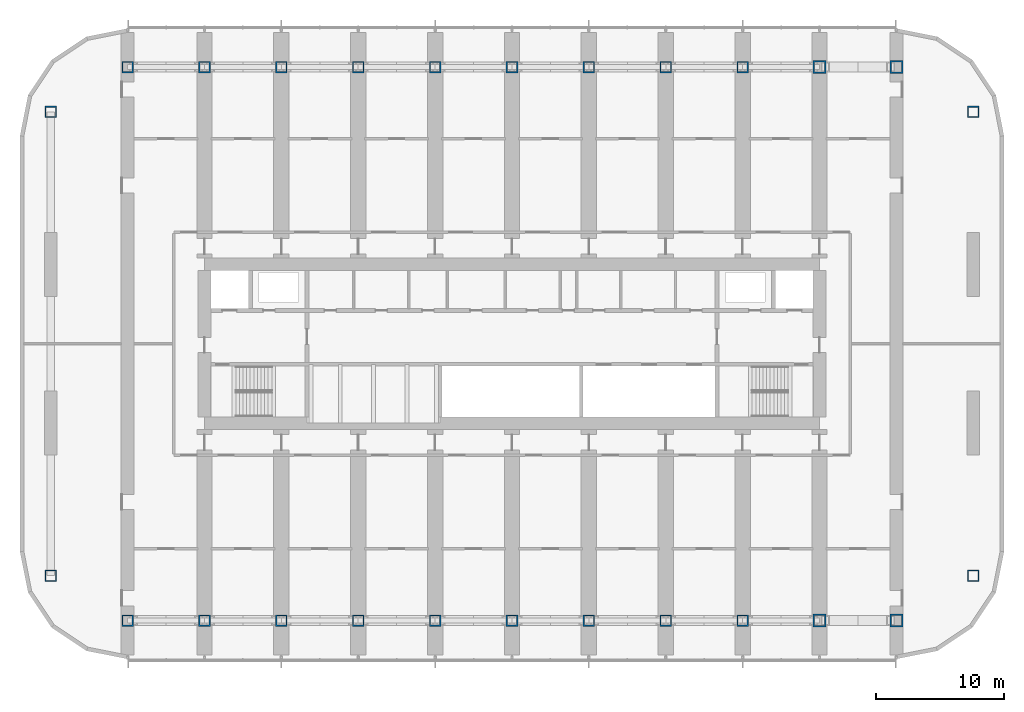
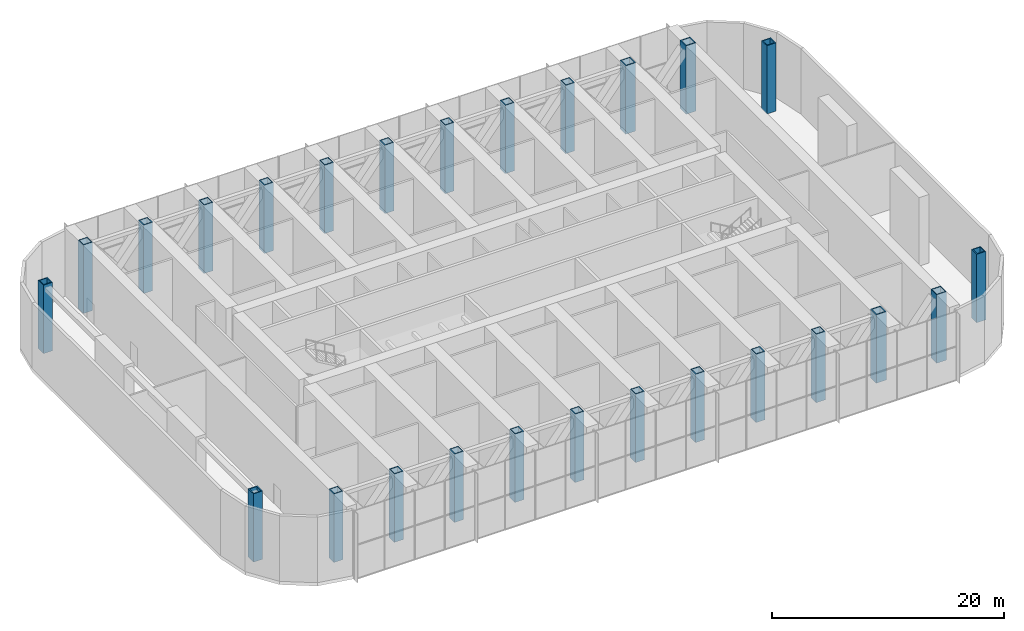
# One storey, part 1 of 24: 26 columns.
"""IFC4 building model written with IfcOpenShell, lengths in metres."""

from ifc_helpers import new_model, si_unit, direction, frame, origin, origin_2d, place, context, subcontext, project, spatial, hollow_rectangle, extrude, material, material_profile, profile_set, type_object, element, save


model = new_model("IFC4")

# Units and contexts
model_context = context("Model", 3, precision=1e-05, world=origin(), true_north=direction((0.0, 1.0)))
body_context = subcontext(model_context, "Body", "Model", "MODEL_VIEW")
ifc_project = project(units=[si_unit("LENGTHUNIT", "METRE"), si_unit("AREAUNIT", "SQUARE_METRE"), si_unit("VOLUMEUNIT", "CUBIC_METRE"), si_unit("PLANEANGLEUNIT", "RADIAN"), si_unit("MASSUNIT", "GRAM", prefix="KILO")], contexts=[model_context])

# Site, building, storey
site_placement = place(None, origin())
site = spatial("IfcSite", under=ifc_project, at=site_placement, CompositionType="ELEMENT")
building_placement = place(site_placement, origin())
building = spatial("IfcBuilding", under=site, at=building_placement, Name="Orbita Commons", CompositionType="ELEMENT")
storey_placement = place(building_placement, frame((0.0, 0.0, 68.949951171875)))
storey = spatial("IfcBuildingStorey", under=building, at=storey_placement, Name="L17", CompositionType="ELEMENT", Elevation=68.949951171875)

# Columns
ifc_material_1 = material(Name="Steel ASTM A572 Gr 50 welded plate", Category="steel")
ifc_material_profile_1 = material_profile(ifc_material_1, hollow_rectangle(XDim=1.0, YDim=1.0, WallThickness=0.10009765625, at=origin_2d()), Name="BOX 1000x1000x100")
ifc_profile_set_1 = profile_set([ifc_material_profile_1], Name="Steel ASTM A572 Gr 50 welded plate")
column_type_1 = type_object("IfcColumnType", Name="Steel column BOX 1000x1000x100", PredefinedType="COLUMN", material=ifc_profile_set_1)
for number, where, z_axis, x_axis, name in (
    (1, (66.0, 10.39990234375, 0.0), (0.0, 0.0, 1.0), (1.0, 0.0, 0.0), "Column 12/B L17"),
    (2, (66.0, 53.60009765625, 0.0), (0.0, 0.0, 1.0), (1.0, 0.0, 0.0), "Column 12/E L17"),
    (3, (72.0, 10.39990234375, 0.0), (0.0, 0.0, 1.0), (1.0, 0.0, 0.0), "Column 13/B L17"),
    (4, (72.0, 53.60009765625, 0.0), (0.0, 0.0, 1.0), (1.0, 0.0, 0.0), "Column 13/E L17"),
):
    element("IfcColumn", number, at=place(storey_placement, frame(where, z_axis=z_axis, x_axis=x_axis)), inside=storey, type_object=column_type_1, Name=name, PredefinedType="COLUMN", context=body_context, shape_type="SweptSolid", body=[
        extrude(hollow_rectangle(XDim=1.0, YDim=1.0, WallThickness=0.10009765625, at=origin_2d()), origin(), (0.0, 0.0, 1.0), 7.199951171875),
    ])
ifc_material_2 = material(Name="Steel ASTM A572 Gr 50 welded plate", Category="steel")
ifc_material_profile_2 = material_profile(ifc_material_2, hollow_rectangle(XDim=0.89990234375, YDim=0.89990234375, WallThickness=0.090087890625, at=origin_2d()), Name="BOX 900x900x90")
ifc_profile_set_2 = profile_set([ifc_material_profile_2], Name="Steel ASTM A572 Gr 50 welded plate")
column_type_2 = type_object("IfcColumnType", Name="Steel column BOX 900x900x90", PredefinedType="COLUMN", material=ifc_profile_set_2)
for number, where, z_axis, x_axis, name in (
    (5, (12.0, 10.39990234375, 0.0), (0.0, 0.0, 1.0), (1.0, 0.0, 0.0), "Column 3/B L17"),
    (6, (12.0, 53.60009765625, 0.0), (0.0, 0.0, 1.0), (1.0, 0.0, 0.0), "Column 3/E L17"),
    (7, (18.0, 10.39990234375, 0.0), (0.0, 0.0, 1.0), (1.0, 0.0, 0.0), "Column 4/B L17"),
    (8, (18.0, 53.60009765625, 0.0), (0.0, 0.0, 1.0), (1.0, 0.0, 0.0), "Column 4/E L17"),
    (9, (24.0, 10.39990234375, 0.0), (0.0, 0.0, 1.0), (1.0, 0.0, 0.0), "Column 5/B L17"),
    (10, (24.0, 53.60009765625, 0.0), (0.0, 0.0, 1.0), (1.0, 0.0, 0.0), "Column 5/E L17"),
    (11, (30.0, 10.39990234375, 0.0), (0.0, 0.0, 1.0), (1.0, 0.0, 0.0), "Column 6/B L17"),
    (12, (30.0, 53.60009765625, 0.0), (0.0, 0.0, 1.0), (1.0, 0.0, 0.0), "Column 6/E L17"),
    (13, (36.0, 10.39990234375, 0.0), (0.0, 0.0, 1.0), (1.0, 0.0, 0.0), "Column 7/B L17"),
    (14, (36.0, 53.60009765625, 0.0), (0.0, 0.0, 1.0), (1.0, 0.0, 0.0), "Column 7/E L17"),
    (15, (42.0, 10.39990234375, 0.0), (0.0, 0.0, 1.0), (1.0, 0.0, 0.0), "Column 8/B L17"),
    (16, (42.0, 53.60009765625, 0.0), (0.0, 0.0, 1.0), (1.0, 0.0, 0.0), "Column 8/E L17"),
    (17, (48.0, 10.39990234375, 0.0), (0.0, 0.0, 1.0), (1.0, 0.0, 0.0), "Column 9/B L17"),
    (18, (48.0, 53.60009765625, 0.0), (0.0, 0.0, 1.0), (1.0, 0.0, 0.0), "Column 9/E L17"),
    (19, (54.0, 10.39990234375, 0.0), (0.0, 0.0, 1.0), (1.0, 0.0, 0.0), "Column 10/B L17"),
    (20, (54.0, 53.60009765625, 0.0), (0.0, 0.0, 1.0), (1.0, 0.0, 0.0), "Column 10/E L17"),
    (21, (60.0, 10.39990234375, 0.0), (0.0, 0.0, 1.0), (1.0, 0.0, 0.0), "Column 11/B L17"),
    (22, (60.0, 53.60009765625, 0.0), (0.0, 0.0, 1.0), (1.0, 0.0, 0.0), "Column 11/E L17"),
    (23, (6.0, 13.89990234375, 0.0), (0.0, 0.0, 1.0), (1.0, 0.0, 0.0), "Column 2/13.9 L17"),
    (24, (6.0, 50.10009765625, 0.0), (0.0, 0.0, 1.0), (1.0, 0.0, 0.0), "Column 2/50.1 L17"),
    (25, (78.0, 13.89990234375, 0.0), (0.0, 0.0, 1.0), (1.0, 0.0, 0.0), "Column 14/13.9 L17"),
    (26, (78.0, 50.10009765625, 0.0), (0.0, 0.0, 1.0), (1.0, 0.0, 0.0), "Column 14/50.1 L17"),
):
    element("IfcColumn", number, at=place(storey_placement, frame(where, z_axis=z_axis, x_axis=x_axis)), inside=storey, type_object=column_type_2, Name=name, PredefinedType="COLUMN", context=body_context, shape_type="SweptSolid", body=[
        extrude(hollow_rectangle(XDim=0.89990234375, YDim=0.89990234375, WallThickness=0.090087890625, at=origin_2d()), origin(), (0.0, 0.0, 1.0), 7.199951171875),
    ])

save(model, "model.ifc")
